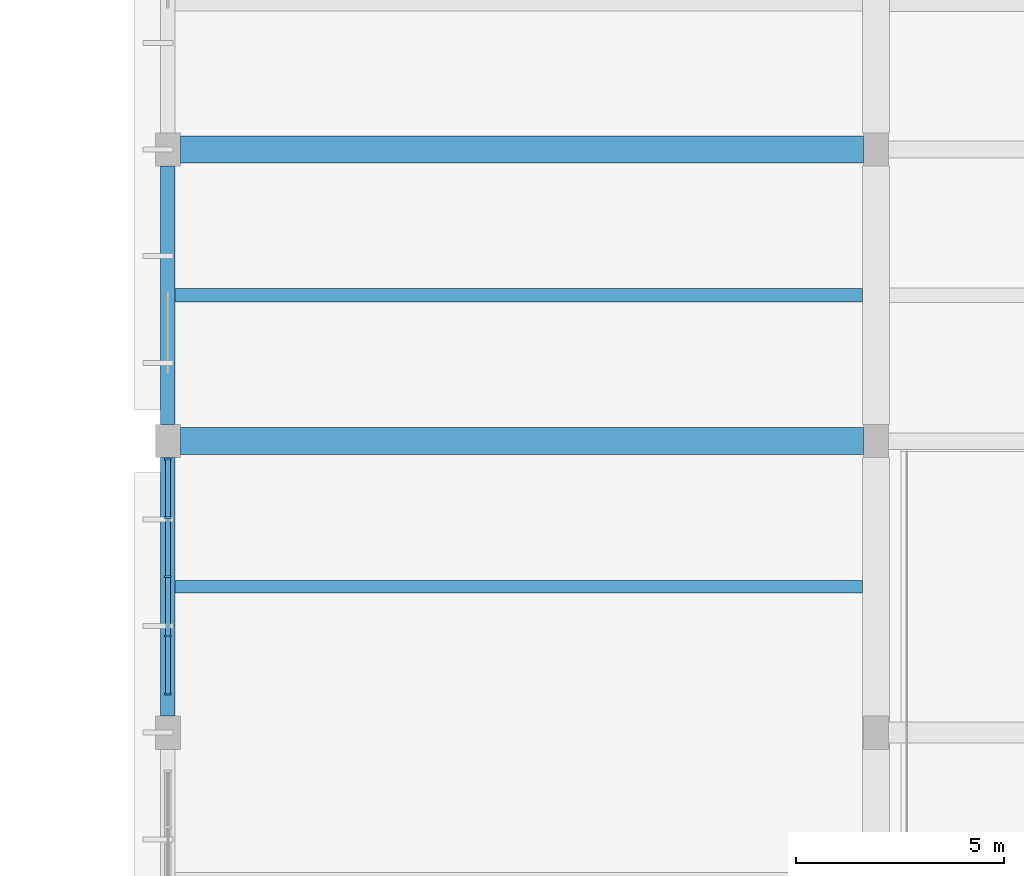
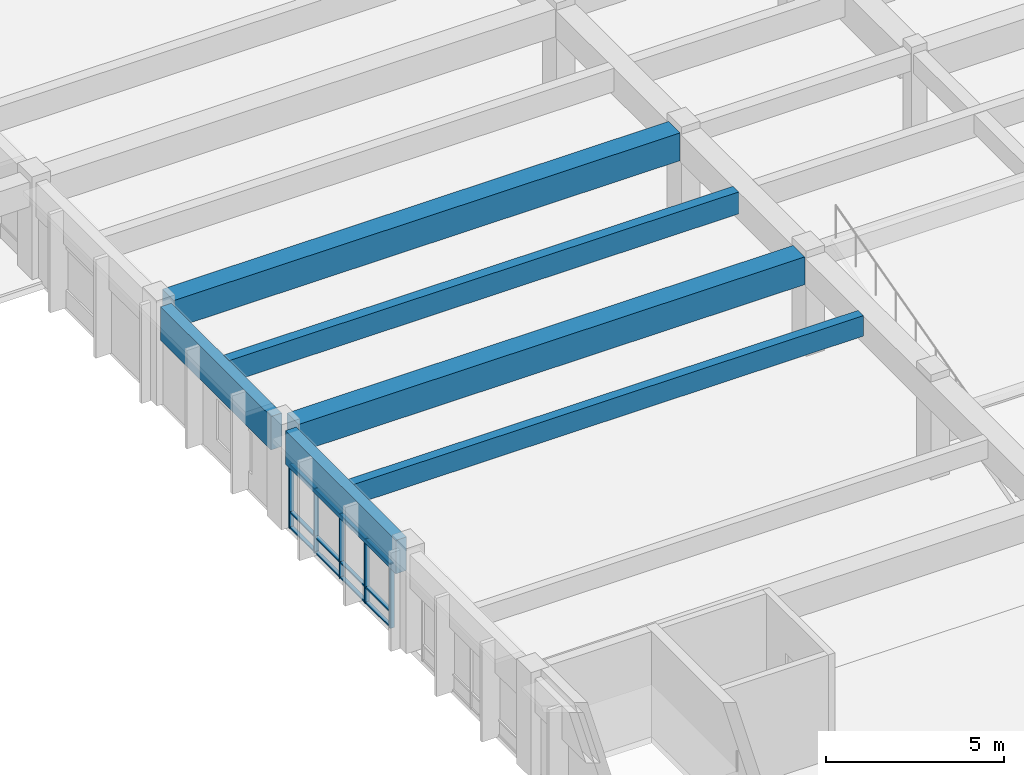
# One storey, part 22 of 155: 17 members, 6 beams, 1 element without a shape of its own.
"""IFC4 building model written with IfcOpenShell, lengths in metres."""

from ifc_helpers import new_model, si_unit, direction, frame, origin, origin_2d, place, context, subcontext, project, spatial, rectangle, extrude, material, material_profile, profile_set, type_object, element, aggregate, save


model = new_model("IFC4")

# Units and contexts
model_context = context("Model", 3, precision=1e-05, world=origin(), true_north=direction((0.0, 1.0)))
body_context = subcontext(model_context, "Body", "Model", "MODEL_VIEW")
ifc_project = project(units=[si_unit("LENGTHUNIT", "METRE"), si_unit("AREAUNIT", "SQUARE_METRE"), si_unit("VOLUMEUNIT", "CUBIC_METRE"), si_unit("PLANEANGLEUNIT", "RADIAN"), si_unit("MASSUNIT", "GRAM", prefix="KILO")], contexts=[model_context])

# Site, building, storey
site_placement = place(None, origin())
site = spatial("IfcSite", under=ifc_project, at=site_placement, CompositionType="ELEMENT")
building_placement = place(site_placement, origin())
building = spatial("IfcBuilding", under=site, at=building_placement, Name="Larkveld Mobility Hub", CompositionType="ELEMENT")
storey_placement = place(building_placement, frame((0.0, 0.0, 8.39990234375)))
storey = spatial("IfcBuildingStorey", under=building, at=storey_placement, Name="L02", CompositionType="ELEMENT", Elevation=8.39990234375)

# Beams
ifc_material_1 = material(Name="Precast concrete C50/60", Category="concrete")
ifc_material_profile_1 = material_profile(ifc_material_1, rectangle(XDim=0.300048828125, YDim=0.699951171875, at=origin_2d()), Name="PC DT 300x700")
ifc_profile_set_1 = profile_set([ifc_material_profile_1], Name="Precast concrete C50/60")
beam_type_1 = type_object("IfcBeamType", Name="BM-DT3070", PredefinedType="T_BEAM", material=ifc_profile_set_1)
beam_1_placement = place(storey_placement, frame((112.169921875, 66.5, 3.02001953125), z_axis=(1.0, 0.0, 0.0), x_axis=(0.0, 1.0, 0.0)))
element("IfcBeam", 1, at=beam_1_placement, inside=storey, type_object=beam_type_1, Name="Precast Double-Tee Stem L02-1090", PredefinedType="T_BEAM", context=body_context, shape_type="SweptSolid", body=[
    extrude(rectangle(XDim=0.300048828125, YDim=0.699951171875, at=origin_2d()), origin(), (0.0, 0.0, 1.0), 16.510009765625),
])
ifc_material_profile_2 = material_profile(ifc_material_1, rectangle(XDim=0.320068359375, YDim=0.75, at=origin_2d()), Name="PC DT 320x750")
ifc_profile_set_2 = profile_set([ifc_material_profile_2], Name="Precast concrete C50/60")
beam_type_2 = type_object("IfcBeamType", Name="BM-DT3275", PredefinedType="T_BEAM", material=ifc_profile_set_2)
beam_2_placement = place(storey_placement, frame((112.169921875, 73.5, 2.9951171875), z_axis=(1.0, 0.0, 0.0), x_axis=(0.0, 1.0, 0.0)))
element("IfcBeam", 2, at=beam_2_placement, inside=storey, type_object=beam_type_2, Name="Precast Double-Tee Stem L02-1091", PredefinedType="T_BEAM", context=body_context, shape_type="SweptSolid", body=[
    extrude(rectangle(XDim=0.320068359375, YDim=0.75, at=origin_2d()), origin(), (0.0, 0.0, 1.0), 16.510009765625),
])
ifc_material_profile_3 = material_profile(ifc_material_1, rectangle(XDim=0.64990234375, YDim=0.949951171875, at=origin_2d()), Name="PC ITB 650x950")
ifc_profile_set_3 = profile_set([ifc_material_profile_3], Name="Precast concrete C50/60")
beam_type_3 = type_object("IfcBeamType", Name="BM-ITB6595", PredefinedType="T_BEAM", material=ifc_profile_set_3)
for number, where, z_axis, x_axis, name in (
    (3, (112.300048828125, 70.0, 2.885009765625), (1.0, 0.0, 0.0), (0.0, 1.0, 0.0), "Primary E-W Girder L02-0518"),
    (4, (112.300048828125, 77.0, 2.885009765625), (1.0, 0.0, 0.0), (0.0, 1.0, 0.0), "Primary E-W Girder L02-0522"),
):
    element("IfcBeam", number, at=place(storey_placement, frame(where, z_axis=z_axis, x_axis=x_axis)), inside=storey, type_object=beam_type_3, Name=name, PredefinedType="T_BEAM", context=body_context, shape_type="SweptSolid", body=[
        extrude(rectangle(XDim=0.64990234375, YDim=0.949951171875, at=origin_2d()), origin(), (0.0, 0.0, 1.0), 16.39990234375),
    ])
ifc_material_profile_4 = material_profile(ifc_material_1, rectangle(XDim=0.35009765625, YDim=1.14990234375, at=origin_2d()), Name="PC SP 350x1150")
ifc_profile_set_4 = profile_set([ifc_material_profile_4], Name="Precast concrete C50/60")
beam_type_4 = type_object("IfcBeamType", Name="BM-SP35115", PredefinedType="SPANDREL", material=ifc_profile_set_4)
for number, where, z_axis, x_axis, name in (
    (5, (112.0, 63.39990234375, 2.78515625), (0.0, 1.0, 0.0), (-1.0, 0.0, 0.0), "Primary N-S Girder L02-0631"),
    (6, (112.0, 70.39990234375, 2.78515625), (0.0, 1.0, 0.0), (-1.0, 0.0, 0.0), "Primary N-S Girder L02-0632"),
):
    element("IfcBeam", number, at=place(storey_placement, frame(where, z_axis=z_axis, x_axis=x_axis)), inside=storey, type_object=beam_type_4, Name=name, PredefinedType="SPANDREL", context=body_context, shape_type="SweptSolid", body=[
        extrude(rectangle(XDim=0.35009765625, YDim=1.14990234375, at=origin_2d()), origin(), (0.0, 0.0, 1.0), 6.2001953125),
    ])

# Curtain wall, members
ifc_material_2 = material(Name="Anodised aluminium 6063-T6", Category="aluminium")
curtain_wall_type = type_object("IfcCurtainWallType", Name="CW-SYS-05", PredefinedType="NOTDEFINED", material=ifc_material_2)
curtain_wall_placement = place(storey_placement, origin())
curtain_wall = element("IfcCurtainWall", 7, at=curtain_wall_placement, inside=storey, type_object=curtain_wall_type, Name="EV Wing West Glazing L02 CW-137", PredefinedType="NOTDEFINED")
ifc_material_profile_5 = material_profile(ifc_material_2, rectangle(XDim=0.050048828125, YDim=0.14990234375, at=origin_2d()), Name="ALU MULL 50x150")
ifc_profile_set_5 = profile_set([ifc_material_profile_5], Name="Anodised aluminium 6063-T6")
member_type_1 = type_object("IfcMemberType", Name="CW-MUL-01", PredefinedType="MULLION", material=ifc_profile_set_5)
member_1_placement = place(storey_placement, frame((112.0, 69.56494140625, -0.001953125), z_axis=(0.0, 0.0, 1.0), x_axis=(0.0, -1.0, 0.0)))
member_1 = element("IfcMember", 8, at=member_1_placement, type_object=member_type_1, Name="CW05 mullion 1", PredefinedType="MULLION", context=body_context, shape_type="SweptSolid", body=[
    extrude(rectangle(XDim=0.050048828125, YDim=0.14990234375, at=origin_2d()), origin(), (0.0, 0.0, 1.0), 2.212158203125),
])
member_2_placement = place(storey_placement, frame((112.0, 68.16796875, -0.001953125), z_axis=(0.0, 0.0, 1.0), x_axis=(0.0, -1.0, 0.0)))
member_2 = element("IfcMember", 9, at=member_2_placement, type_object=member_type_1, Name="CW05 mullion 2", PredefinedType="MULLION", context=body_context, shape_type="SweptSolid", body=[
    extrude(rectangle(XDim=0.050048828125, YDim=0.14990234375, at=origin_2d()), origin(), (0.0, 0.0, 1.0), 2.212158203125),
])
member_3_placement = place(storey_placement, frame((112.0, 66.7451171875, -0.001953125), z_axis=(0.0, 0.0, 1.0), x_axis=(0.0, -1.0, 0.0)))
member_3 = element("IfcMember", 10, at=member_3_placement, type_object=member_type_1, Name="CW05 mullion 3", PredefinedType="MULLION", context=body_context, shape_type="SweptSolid", body=[
    extrude(rectangle(XDim=0.050048828125, YDim=0.14990234375, at=origin_2d()), origin(), (0.0, 0.0, 1.0), 2.212158203125),
])
member_4_placement = place(storey_placement, frame((112.0, 65.322998046875, -0.001953125), z_axis=(0.0, 0.0, 1.0), x_axis=(0.0, -1.0, 0.0)))
member_4 = element("IfcMember", 11, at=member_4_placement, type_object=member_type_1, Name="CW05 mullion 4", PredefinedType="MULLION", context=body_context, shape_type="SweptSolid", body=[
    extrude(rectangle(XDim=0.050048828125, YDim=0.14990234375, at=origin_2d()), origin(), (0.0, 0.0, 1.0), 2.212158203125),
])
member_5_placement = place(storey_placement, frame((112.0, 63.925048828125, -0.001953125), z_axis=(0.0, 0.0, 1.0), x_axis=(0.0, -1.0, 0.0)))
member_5 = element("IfcMember", 12, at=member_5_placement, type_object=member_type_1, Name="CW05 mullion 5", PredefinedType="MULLION", context=body_context, shape_type="SweptSolid", body=[
    extrude(rectangle(XDim=0.050048828125, YDim=0.14990234375, at=origin_2d()), origin(), (0.0, 0.0, 1.0), 2.212158203125),
])
ifc_material_profile_6 = material_profile(ifc_material_2, rectangle(XDim=0.1201171875, YDim=0.050048828125, at=origin_2d()), Name="ALU TRAN 50x120")
ifc_profile_set_6 = profile_set([ifc_material_profile_6], Name="Anodised aluminium 6063-T6")
member_type_2 = type_object("IfcMemberType", Name="CW-TRN-01", PredefinedType="USERDEFINED", material=ifc_profile_set_6)
member_6_placement = place(storey_placement, frame((112.0, 69.554931640625, 0.030029296875), z_axis=(0.0, -1.0, 0.0), x_axis=(1.0, 0.0, 0.0)))
member_6 = element("IfcMember", 13, at=member_6_placement, type_object=member_type_2, Name="CW05 transom 1.1", ObjectType="TRANSOM", PredefinedType="USERDEFINED", context=body_context, shape_type="SweptSolid", body=[
    extrude(rectangle(XDim=0.1201171875, YDim=0.050048828125, at=origin_2d()), origin(), (0.0, 0.0, 1.0), 1.371826171875),
])
member_7_placement = place(storey_placement, frame((112.0, 69.554931640625, 0.552001953125), z_axis=(0.0, -1.0, 0.0), x_axis=(1.0, 0.0, 0.0)))
member_7 = element("IfcMember", 14, at=member_7_placement, type_object=member_type_2, Name="CW05 transom 1.2", ObjectType="TRANSOM", PredefinedType="USERDEFINED", context=body_context, shape_type="SweptSolid", body=[
    extrude(rectangle(XDim=0.1201171875, YDim=0.050048828125, at=origin_2d()), origin(), (0.0, 0.0, 1.0), 1.371826171875),
])
member_8_placement = place(storey_placement, frame((112.0, 69.554931640625, 2.177978515625), z_axis=(0.0, -1.0, 0.0), x_axis=(1.0, 0.0, 0.0)))
member_8 = element("IfcMember", 15, at=member_8_placement, type_object=member_type_2, Name="CW05 transom 1.3", ObjectType="TRANSOM", PredefinedType="USERDEFINED", context=body_context, shape_type="SweptSolid", body=[
    extrude(rectangle(XDim=0.1201171875, YDim=0.050048828125, at=origin_2d()), origin(), (0.0, 0.0, 1.0), 1.371826171875),
])
member_9_placement = place(storey_placement, frame((112.0, 68.153076171875, 0.030029296875), z_axis=(0.0, -1.0, 0.0), x_axis=(1.0, 0.0, 0.0)))
member_9 = element("IfcMember", 16, at=member_9_placement, type_object=member_type_2, Name="CW05 transom 2.1", ObjectType="TRANSOM", PredefinedType="USERDEFINED", context=body_context, shape_type="SweptSolid", body=[
    extrude(rectangle(XDim=0.1201171875, YDim=0.050048828125, at=origin_2d()), origin(), (0.0, 0.0, 1.0), 1.39306640625),
])
member_10_placement = place(storey_placement, frame((112.0, 68.153076171875, 0.552001953125), z_axis=(0.0, -1.0, 0.0), x_axis=(1.0, 0.0, 0.0)))
member_10 = element("IfcMember", 17, at=member_10_placement, type_object=member_type_2, Name="CW05 transom 2.2", ObjectType="TRANSOM", PredefinedType="USERDEFINED", context=body_context, shape_type="SweptSolid", body=[
    extrude(rectangle(XDim=0.1201171875, YDim=0.050048828125, at=origin_2d()), origin(), (0.0, 0.0, 1.0), 1.39306640625),
])
member_11_placement = place(storey_placement, frame((112.0, 68.153076171875, 2.177978515625), z_axis=(0.0, -1.0, 0.0), x_axis=(1.0, 0.0, 0.0)))
member_11 = element("IfcMember", 18, at=member_11_placement, type_object=member_type_2, Name="CW05 transom 2.3", ObjectType="TRANSOM", PredefinedType="USERDEFINED", context=body_context, shape_type="SweptSolid", body=[
    extrude(rectangle(XDim=0.1201171875, YDim=0.050048828125, at=origin_2d()), origin(), (0.0, 0.0, 1.0), 1.39306640625),
])
member_12_placement = place(storey_placement, frame((112.0, 66.72998046875, 0.030029296875), z_axis=(0.0, -1.0, 0.0), x_axis=(1.0, 0.0, 0.0)))
member_12 = element("IfcMember", 19, at=member_12_placement, type_object=member_type_2, Name="CW05 transom 3.1", ObjectType="TRANSOM", PredefinedType="USERDEFINED", context=body_context, shape_type="SweptSolid", body=[
    extrude(rectangle(XDim=0.1201171875, YDim=0.050048828125, at=origin_2d()), origin(), (0.0, 0.0, 1.0), 1.39208984375),
])
member_13_placement = place(storey_placement, frame((112.0, 66.72998046875, 0.552001953125), z_axis=(0.0, -1.0, 0.0), x_axis=(1.0, 0.0, 0.0)))
member_13 = element("IfcMember", 20, at=member_13_placement, type_object=member_type_2, Name="CW05 transom 3.2", ObjectType="TRANSOM", PredefinedType="USERDEFINED", context=body_context, shape_type="SweptSolid", body=[
    extrude(rectangle(XDim=0.1201171875, YDim=0.050048828125, at=origin_2d()), origin(), (0.0, 0.0, 1.0), 1.39208984375),
])
member_14_placement = place(storey_placement, frame((112.0, 66.72998046875, 2.177978515625), z_axis=(0.0, -1.0, 0.0), x_axis=(1.0, 0.0, 0.0)))
member_14 = element("IfcMember", 21, at=member_14_placement, type_object=member_type_2, Name="CW05 transom 3.3", ObjectType="TRANSOM", PredefinedType="USERDEFINED", context=body_context, shape_type="SweptSolid", body=[
    extrude(rectangle(XDim=0.1201171875, YDim=0.050048828125, at=origin_2d()), origin(), (0.0, 0.0, 1.0), 1.39208984375),
])
member_15_placement = place(storey_placement, frame((112.0, 65.30810546875, 0.030029296875), z_axis=(0.0, -1.0, 0.0), x_axis=(1.0, 0.0, 0.0)))
member_15 = element("IfcMember", 22, at=member_15_placement, type_object=member_type_2, Name="CW05 transom 4.1", ObjectType="TRANSOM", PredefinedType="USERDEFINED", context=body_context, shape_type="SweptSolid", body=[
    extrude(rectangle(XDim=0.1201171875, YDim=0.050048828125, at=origin_2d()), origin(), (0.0, 0.0, 1.0), 1.373046875),
])
member_16_placement = place(storey_placement, frame((112.0, 65.30810546875, 0.552001953125), z_axis=(0.0, -1.0, 0.0), x_axis=(1.0, 0.0, 0.0)))
member_16 = element("IfcMember", 23, at=member_16_placement, type_object=member_type_2, Name="CW05 transom 4.2", ObjectType="TRANSOM", PredefinedType="USERDEFINED", context=body_context, shape_type="SweptSolid", body=[
    extrude(rectangle(XDim=0.1201171875, YDim=0.050048828125, at=origin_2d()), origin(), (0.0, 0.0, 1.0), 1.373046875),
])
member_17_placement = place(storey_placement, frame((112.0, 65.30810546875, 2.177978515625), z_axis=(0.0, -1.0, 0.0), x_axis=(1.0, 0.0, 0.0)))
member_17 = element("IfcMember", 24, at=member_17_placement, type_object=member_type_2, Name="CW05 transom 4.3", ObjectType="TRANSOM", PredefinedType="USERDEFINED", context=body_context, shape_type="SweptSolid", body=[
    extrude(rectangle(XDim=0.1201171875, YDim=0.050048828125, at=origin_2d()), origin(), (0.0, 0.0, 1.0), 1.373046875),
])
aggregate(curtain_wall, [member_1, member_2, member_3, member_4, member_5, member_6, member_7, member_8, member_9, member_10, member_11, member_12, member_13, member_14, member_15, member_16, member_17])

save(model, "model.ifc")
